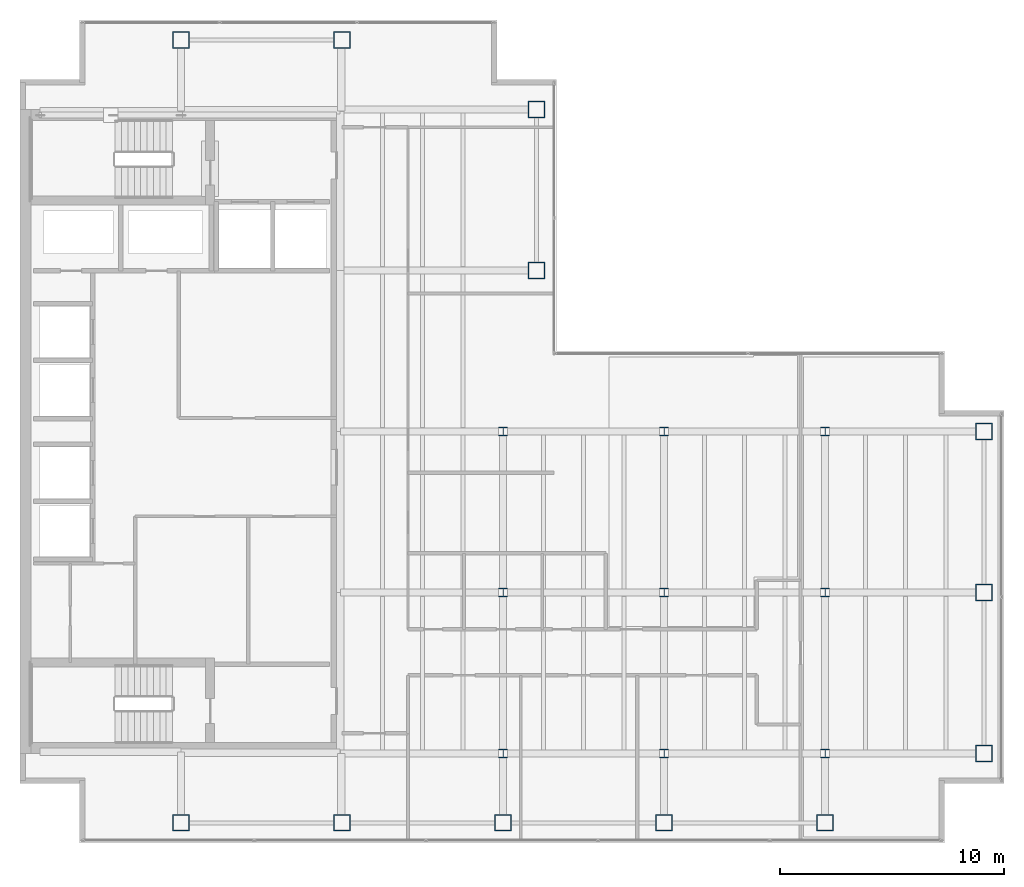
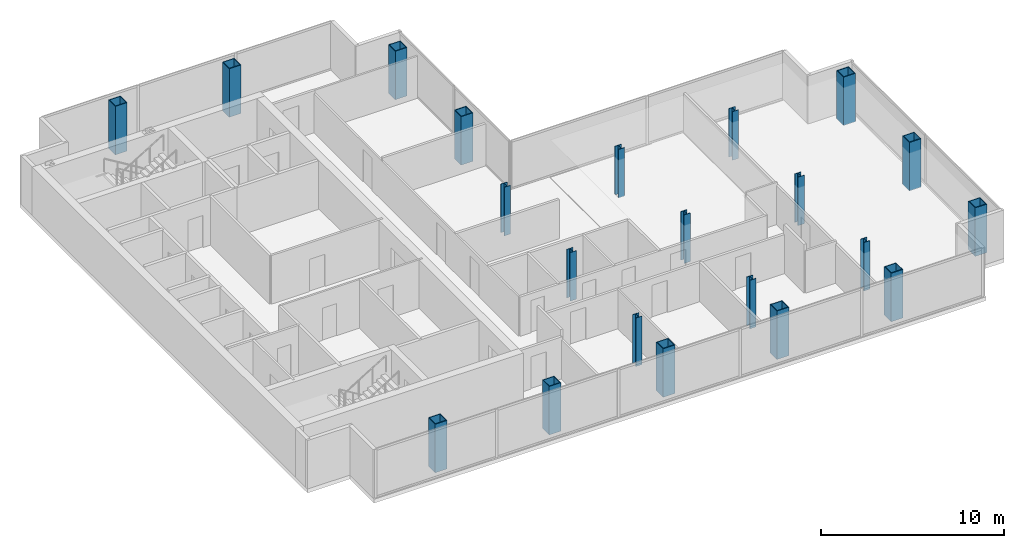
# One storey, part 1 of 23: 21 columns.
"""IFC4 building model written with IfcOpenShell, lengths in metres."""

import ifcopenshell
import ifcopenshell.guid

model = None  # the IFC model being written
_history = None  # IfcOwnerHistory: only IFC2X3 demands one
_inside = {}  # id of a spatial element -> (the spatial element, [elements in it])
_under = {}  # id of a project, library or spatial element -> (it, [spatial elements below it])
_declared = {}  # id of a project -> (the project, [libraries it declares])
_typed = {}  # id of a type object -> (the type object, [elements of that type])
_made_of = {}  # id of a material, layer set ... -> (it, [elements and type objects made of it])


def new_model(schema):
    """Start an empty IFC model of exactly this schema.

    Asked for "IFC4X3", IfcOpenShell would pick the latest addendum, in which some entities
    have other attributes; the version numbers below select the first issue.
    IFC2X3 requires an IfcOwnerHistory on every rooted entity: one is made here for all.
    """
    global model, _history
    if schema == "IFC4X3":
        model = ifcopenshell.file(schema_version=(4, 3, 0, 0))
    else:
        model = ifcopenshell.file(schema=schema)
    _inside.clear()
    _under.clear()
    _declared.clear()
    _typed.clear()
    _made_of.clear()
    _history = None
    if model.schema == "IFC2X3":
        org = make("IfcOrganization", Name="unknown")
        user = make(
            "IfcPersonAndOrganization",
            ThePerson=make("IfcPerson", FamilyName="unknown"),
            TheOrganization=org,
        )
        app = make(
            "IfcApplication",
            ApplicationDeveloper=org,
            Version="unknown",
            ApplicationFullName="unknown",
            ApplicationIdentifier="unknown",
        )
        _history = make(
            "IfcOwnerHistory",
            OwningUser=user,
            OwningApplication=app,
            ChangeAction="ADDED",
            CreationDate=0,
        )
    return model


def make(cls, **values):
    """One entity of the class cls with the attributes given. An attribute that is None is left unset."""
    return model.create_entity(
        cls, **{name: value for name, value in values.items() if value is not None}
    )


def rooted(cls, **values):
    """An entity with a GlobalId (a new one), such as an element, a storey or a relation."""
    return make(cls, GlobalId=ifcopenshell.guid.new(), OwnerHistory=_history, **values)


def si_unit(unit_type, name, prefix=None):
    """IfcSIUnit, for example si_unit("LENGTHUNIT", "METRE", prefix="MILLI")."""
    return make("IfcSIUnit", UnitType=unit_type, Prefix=prefix, Name=name)


def assignment(units):
    """IfcUnitAssignment: the units of a project."""
    return None if units is None else make("IfcUnitAssignment", Units=units)


def point(xyz):
    """IfcCartesianPoint."""
    return None if xyz is None else make("IfcCartesianPoint", Coordinates=xyz)


def direction(xyz):
    """IfcDirection."""
    return None if xyz is None else make("IfcDirection", DirectionRatios=xyz)


def frame(location, z_axis=None, x_axis=None):
    """IfcAxis2Placement3D, a coordinate frame: its origin and axes. An axis left out is left unset."""
    return make(
        "IfcAxis2Placement3D",
        Location=point(location),
        Axis=direction(z_axis),
        RefDirection=direction(x_axis),
    )


def frame_2d(location, x_axis=None):
    """IfcAxis2Placement2D, a coordinate frame in the plane: its origin and x axis."""
    return make(
        "IfcAxis2Placement2D", Location=point(location), RefDirection=direction(x_axis)
    )


def origin():
    """The frame at (0, 0, 0) with its axes left unset."""
    return frame((0.0, 0.0, 0.0))


def origin_2d():
    """The frame at (0, 0) in the plane with its x axis left unset."""
    return frame_2d((0.0, 0.0))


def place(relative_to, where):
    """IfcLocalPlacement: puts the frame where relative to a parent placement (None: the world)."""
    return make(
        "IfcLocalPlacement", PlacementRelTo=relative_to, RelativePlacement=where
    )


def context(
    kind, dimensions, precision=None, world=None, true_north=None, identifier=None
):
    """IfcGeometricRepresentationContext, for example the 3D "Model" context."""
    return make(
        "IfcGeometricRepresentationContext",
        ContextIdentifier=identifier,
        ContextType=kind,
        CoordinateSpaceDimension=dimensions,
        Precision=precision,
        WorldCoordinateSystem=world,
        TrueNorth=true_north,
    )


def subcontext(parent, identifier, kind, view, scale=None):
    """IfcGeometricRepresentationSubContext, for example "Body" below "Model"."""
    return make(
        "IfcGeometricRepresentationSubContext",
        ContextIdentifier=identifier,
        ContextType=kind,
        ParentContext=parent,
        TargetScale=scale,
        TargetView=view,
    )


def project(units=None, contexts=None):
    """IfcProject with its units and contexts."""
    return rooted(
        "IfcProject",
        Name="project",
        RepresentationContexts=contexts,
        UnitsInContext=assignment(units),
    )


def spatial(cls, under=None, at=None, **own):
    """A site, building, storey or space (cls), placed at a placement, below another one or the project."""
    s = rooted(cls, ObjectPlacement=at, **own)
    if under is not None:
        _under.setdefault(under.id(), (under, []))[1].append(s)
    return s


def profile(cls, at=None, kind="AREA", **sizes):
    """A parametric profile (cls). Its sizes go by their IFC names, for example OverallWidth=200.0."""
    return make(cls, ProfileType=kind, Position=at, **sizes)


def hollow_rectangle(**sizes):
    """IfcRectangleHollowProfileDef."""
    return profile("IfcRectangleHollowProfileDef", **sizes)


def i_section(**sizes):
    """IfcIShapeProfileDef."""
    return profile("IfcIShapeProfileDef", **sizes)


def extrude(swept, where, along, depth):
    """IfcExtrudedAreaSolid: the profile swept, set in the frame where, extruded along a direction by depth."""
    return make(
        "IfcExtrudedAreaSolid",
        SweptArea=swept,
        Position=where,
        ExtrudedDirection=direction(along),
        Depth=depth,
    )


def shape(context_of_items, identifier, shape_type, items):
    """IfcShapeRepresentation: the items that make up one representation, for example the "Body"."""
    return make(
        "IfcShapeRepresentation",
        ContextOfItems=context_of_items,
        RepresentationIdentifier=identifier,
        RepresentationType=shape_type,
        Items=items,
    )


def material(Name=None, Category=None):
    """IfcMaterial."""
    return make("IfcMaterial", Name=Name, Category=Category)


def material_profile(
    of_material, cross_section, Name=None, Category=None, Priority=None
):
    """IfcMaterialProfile: a cross section and its material."""
    return make(
        "IfcMaterialProfile",
        Name=Name,
        Material=of_material,
        Profile=cross_section,
        Priority=Priority,
        Category=Category,
    )


def profile_set(profiles, Name=None, composite=None):
    """IfcMaterialProfileSet."""
    return make(
        "IfcMaterialProfileSet",
        Name=Name,
        MaterialProfiles=profiles,
        CompositeProfile=composite,
    )


def made_of(thing, what):
    """Note that an element or type object is made of a material, layer set ...; save() writes the relation."""
    if what is not None:
        _made_of.setdefault(what.id(), (what, []))[1].append(thing)
    return thing


def type_object(cls, material=None, **own):
    """A type object (cls), such as IfcWallType, which elements share."""
    return made_of(rooted(cls, **own), material)


def element(
    cls,
    number,
    at=None,
    inside=None,
    cuts=None,
    type_object=None,
    material=None,
    context=None,
    identifier="Body",
    shape_type=None,
    held_by="IfcProductDefinitionShape",
    body=None,
    shapes=None,
    **own,
):
    """One element of the class cls, such as IfcWall. Its Tag is "e" and its number.

    at: its placement. inside: the storey or other place that contains it. cuts: it is an
    opening in that element (IfcRelVoidsElement). A single representation is given by context,
    identifier, shape_type and body (its items); several are given by shapes. held_by: the class
    of the entity that holds the representations. save() writes the other relations.
    """
    e = rooted(cls, Tag="e%d" % number, ObjectPlacement=at, **own)
    if body is not None:
        shapes = [shape(context, identifier, shape_type, body)]
    if shapes is not None:
        e.Representation = make(held_by, Representations=shapes)
    if inside is not None:
        _inside.setdefault(inside.id(), (inside, []))[1].append(e)
    if cuts is not None:
        rooted(
            "IfcRelVoidsElement", RelatingBuildingElement=cuts, RelatedOpeningElement=e
        )
    if type_object is not None:
        _typed.setdefault(type_object.id(), (type_object, []))[1].append(e)
    return made_of(e, material)


def aggregate(whole, parts):
    """IfcRelAggregates: a whole, such as a stair, and the parts it consists of."""
    return rooted("IfcRelAggregates", RelatingObject=whole, RelatedObjects=parts)


def save(model, path):
    """Write the relations noted so far, then the file.

    IfcRelAggregates (storeys below a building ...), IfcRelContainedInSpatialStructure (elements
    in a storey), IfcRelDefinesByType, IfcRelAssociatesMaterial and IfcRelDeclares: one each for
    every whole, place, type object, material and project.
    """
    for whole, parts in _under.values():
        aggregate(whole, parts)
    for where, things in _inside.values():
        rooted(
            "IfcRelContainedInSpatialStructure",
            RelatedElements=things,
            RelatingStructure=where,
        )
    for kind, things in _typed.values():
        rooted("IfcRelDefinesByType", RelatedObjects=things, RelatingType=kind)
    for what, things in _made_of.values():
        rooted("IfcRelAssociatesMaterial", RelatedObjects=things, RelatingMaterial=what)
    for by, libraries in _declared.values():
        rooted("IfcRelDeclares", RelatingContext=by, RelatedDefinitions=libraries)
    model.write(path)


model = new_model("IFC4")

# Units and contexts
model_context = context("Model", 3, precision=1e-05, world=origin(), true_north=direction((0.0, 1.0)))
body_context = subcontext(model_context, "Body", "Model", "MODEL_VIEW")
ifc_project = project(units=[si_unit("LENGTHUNIT", "METRE"), si_unit("AREAUNIT", "SQUARE_METRE"), si_unit("VOLUMEUNIT", "CUBIC_METRE"), si_unit("PLANEANGLEUNIT", "RADIAN"), si_unit("MASSUNIT", "GRAM", prefix="KILO")], contexts=[model_context])

# Site, building, storey
site_placement = place(None, origin())
site = spatial("IfcSite", under=ifc_project, at=site_placement, CompositionType="ELEMENT")
building_placement = place(site_placement, origin())
building = spatial("IfcBuilding", under=site, at=building_placement, Name="Cobrela Telecom Tower", CompositionType="ELEMENT")
storey_placement = place(building_placement, frame((0.0, 0.0, 218.75)))
storey = spatial("IfcBuildingStorey", under=building, at=storey_placement, Name="L56", CompositionType="ELEMENT", Elevation=218.75)

# Columns
ifc_material_1 = material(Name="Steel ASTM A992 Grade 50", Category="steel")
ifc_material_profile_1 = material_profile(ifc_material_1, i_section(OverallWidth=0.39892578125, OverallDepth=0.39404296875, WebThickness=0.022705078125, FlangeThickness=0.03662109375, FilletRadius=0.01806640625, at=origin_2d()), Name="W14X193")
ifc_profile_set_1 = profile_set([ifc_material_profile_1], Name="Steel ASTM A992 Grade 50")
column_type_1 = type_object("IfcColumnType", Name="COL-INT-06", PredefinedType="COLUMN", material=ifc_profile_set_1)
for number, where, z_axis, x_axis, name in (
    (1, (21.60009765625, 7.199951171875, 0.0), (0.0, 0.0, 1.0), (1.0, 0.0, 0.0), "L56 Interior Column 06"),
    (2, (21.60009765625, 14.39990234375, 0.0), (0.0, 0.0, 1.0), (1.0, 0.0, 0.0), "L56 Interior Column 07"),
    (3, (21.60009765625, 21.60009765625, 0.0), (0.0, 0.0, 1.0), (1.0, 0.0, 0.0), "L56 Interior Column 08"),
    (4, (28.800048828125, 7.199951171875, 0.0), (0.0, 0.0, 1.0), (1.0, 0.0, 0.0), "L56 Interior Column 12"),
    (5, (28.800048828125, 14.39990234375, 0.0), (0.0, 0.0, 1.0), (1.0, 0.0, 0.0), "L56 Interior Column 13"),
    (6, (28.800048828125, 21.60009765625, 0.0), (0.0, 0.0, 1.0), (1.0, 0.0, 0.0), "L56 Interior Column 14"),
    (7, (36.0, 7.199951171875, 0.0), (0.0, 0.0, 1.0), (1.0, 0.0, 0.0), "L56 Interior Column 16"),
    (8, (36.0, 14.39990234375, 0.0), (0.0, 0.0, 1.0), (1.0, 0.0, 0.0), "L56 Interior Column 17"),
    (9, (36.0, 21.60009765625, 0.0), (0.0, 0.0, 1.0), (1.0, 0.0, 0.0), "L56 Interior Column 18"),
):
    element("IfcColumn", number, at=place(storey_placement, frame(where, z_axis=z_axis, x_axis=x_axis)), inside=storey, type_object=column_type_1, Name=name, PredefinedType="COLUMN", context=body_context, shape_type="SweptSolid", body=[
        extrude(i_section(OverallWidth=0.39892578125, OverallDepth=0.39404296875, WebThickness=0.022705078125, FlangeThickness=0.03662109375, FilletRadius=0.01806640625, at=origin_2d()), origin(), (0.0, 0.0, 1.0), 3.239990234375),
    ])
ifc_material_2 = material(Name="Steel ASTM A572 Grade 50", Category="steel")
ifc_material_profile_2 = material_profile(ifc_material_2, hollow_rectangle(XDim=0.75, YDim=0.75, WallThickness=0.044921875, at=origin_2d()), Name="BOX 750x750x45")
ifc_profile_set_2 = profile_set([ifc_material_profile_2], Name="Steel ASTM A572 Grade 50")
column_type_2 = type_object("IfcColumnType", Name="COL-MEGA-08", PredefinedType="COLUMN", material=ifc_profile_set_2)
for number, where, z_axis, x_axis, name in (
    (10, (7.199951171875, 4.10009765625, 0.0), (0.0, 0.0, 1.0), (1.0, 0.0, 0.0), "L56 Perimeter Mega-Column 01"),
    (11, (7.199951171875, 39.10009765625, 0.0), (0.0, 0.0, 1.0), (1.0, 0.0, 0.0), "L56 Perimeter Mega-Column 02"),
    (12, (14.39990234375, 4.10009765625, 0.0), (0.0, 0.0, 1.0), (1.0, 0.0, 0.0), "L56 Perimeter Mega-Column 03"),
    (13, (14.39990234375, 39.10009765625, 0.0), (0.0, 0.0, 1.0), (1.0, 0.0, 0.0), "L56 Perimeter Mega-Column 04"),
    (14, (21.60009765625, 4.10009765625, 0.0), (0.0, 0.0, 1.0), (1.0, 0.0, 0.0), "L56 Perimeter Mega-Column 05"),
    (15, (23.10009765625, 28.800048828125, 0.0), (0.0, 0.0, 1.0), (1.0, 0.0, 0.0), "L56 Perimeter Mega-Column 09"),
    (16, (23.10009765625, 36.0, 0.0), (0.0, 0.0, 1.0), (1.0, 0.0, 0.0), "L56 Perimeter Mega-Column 10"),
    (17, (28.800048828125, 4.10009765625, 0.0), (0.0, 0.0, 1.0), (1.0, 0.0, 0.0), "L56 Perimeter Mega-Column 11"),
    (18, (36.0, 4.10009765625, 0.0), (0.0, 0.0, 1.0), (1.0, 0.0, 0.0), "L56 Perimeter Mega-Column 15"),
    (19, (43.10009765625, 7.199951171875, 0.0), (0.0, 0.0, 1.0), (1.0, 0.0, 0.0), "L56 Perimeter Mega-Column 19"),
    (20, (43.10009765625, 14.39990234375, 0.0), (0.0, 0.0, 1.0), (1.0, 0.0, 0.0), "L56 Perimeter Mega-Column 20"),
    (21, (43.10009765625, 21.60009765625, 0.0), (0.0, 0.0, 1.0), (1.0, 0.0, 0.0), "L56 Perimeter Mega-Column 21"),
):
    element("IfcColumn", number, at=place(storey_placement, frame(where, z_axis=z_axis, x_axis=x_axis)), inside=storey, type_object=column_type_2, Name=name, PredefinedType="COLUMN", context=body_context, shape_type="SweptSolid", body=[
        extrude(hollow_rectangle(XDim=0.75, YDim=0.75, WallThickness=0.044921875, at=origin_2d()), origin(), (0.0, 0.0, 1.0), 3.239990234375),
    ])

save(model, "model.ifc")
